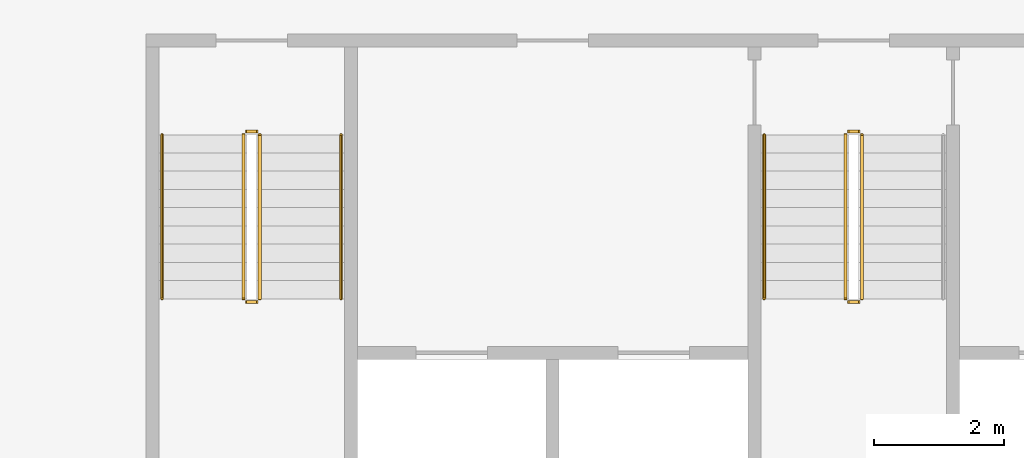
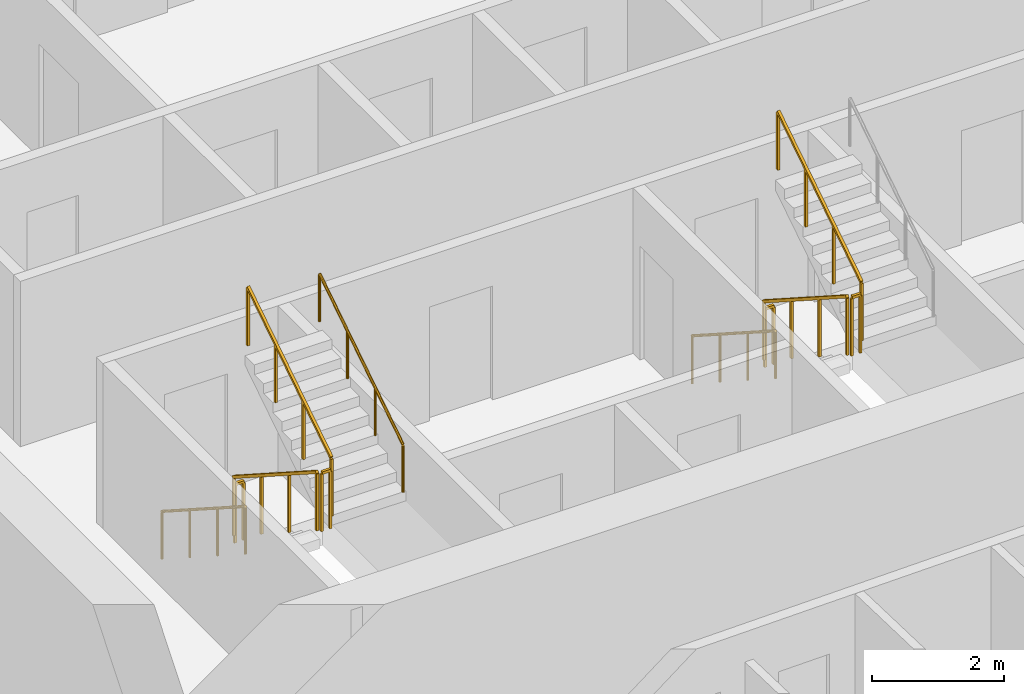
# One storey, part 15 of 17: 11 railings.
"""IFC4 building model written with IfcOpenShell, lengths in metres."""

import ifcopenshell
import ifcopenshell.guid

model = None  # the IFC model being written
_history = None  # IfcOwnerHistory: only IFC2X3 demands one
_inside = {}  # id of a spatial element -> (the spatial element, [elements in it])
_under = {}  # id of a project, library or spatial element -> (it, [spatial elements below it])
_declared = {}  # id of a project -> (the project, [libraries it declares])
_typed = {}  # id of a type object -> (the type object, [elements of that type])
_made_of = {}  # id of a material, layer set ... -> (it, [elements and type objects made of it])


def new_model(schema):
    """Start an empty IFC model of exactly this schema.

    Asked for "IFC4X3", IfcOpenShell would pick the latest addendum, in which some entities
    have other attributes; the version numbers below select the first issue.
    IFC2X3 requires an IfcOwnerHistory on every rooted entity: one is made here for all.
    """
    global model, _history
    if schema == "IFC4X3":
        model = ifcopenshell.file(schema_version=(4, 3, 0, 0))
    else:
        model = ifcopenshell.file(schema=schema)
    _inside.clear()
    _under.clear()
    _declared.clear()
    _typed.clear()
    _made_of.clear()
    _history = None
    if model.schema == "IFC2X3":
        org = make("IfcOrganization", Name="unknown")
        user = make(
            "IfcPersonAndOrganization",
            ThePerson=make("IfcPerson", FamilyName="unknown"),
            TheOrganization=org,
        )
        app = make(
            "IfcApplication",
            ApplicationDeveloper=org,
            Version="unknown",
            ApplicationFullName="unknown",
            ApplicationIdentifier="unknown",
        )
        _history = make(
            "IfcOwnerHistory",
            OwningUser=user,
            OwningApplication=app,
            ChangeAction="ADDED",
            CreationDate=0,
        )
    return model


def make(cls, **values):
    """One entity of the class cls with the attributes given. An attribute that is None is left unset."""
    return model.create_entity(
        cls, **{name: value for name, value in values.items() if value is not None}
    )


def rooted(cls, **values):
    """An entity with a GlobalId (a new one), such as an element, a storey or a relation."""
    return make(cls, GlobalId=ifcopenshell.guid.new(), OwnerHistory=_history, **values)


def si_unit(unit_type, name, prefix=None):
    """IfcSIUnit, for example si_unit("LENGTHUNIT", "METRE", prefix="MILLI")."""
    return make("IfcSIUnit", UnitType=unit_type, Prefix=prefix, Name=name)


def assignment(units):
    """IfcUnitAssignment: the units of a project."""
    return None if units is None else make("IfcUnitAssignment", Units=units)


def point(xyz):
    """IfcCartesianPoint."""
    return None if xyz is None else make("IfcCartesianPoint", Coordinates=xyz)


def direction(xyz):
    """IfcDirection."""
    return None if xyz is None else make("IfcDirection", DirectionRatios=xyz)


def frame(location, z_axis=None, x_axis=None):
    """IfcAxis2Placement3D, a coordinate frame: its origin and axes. An axis left out is left unset."""
    return make(
        "IfcAxis2Placement3D",
        Location=point(location),
        Axis=direction(z_axis),
        RefDirection=direction(x_axis),
    )


def frame_2d(location, x_axis=None):
    """IfcAxis2Placement2D, a coordinate frame in the plane: its origin and x axis."""
    return make(
        "IfcAxis2Placement2D", Location=point(location), RefDirection=direction(x_axis)
    )


def origin():
    """The frame at (0, 0, 0) with its axes left unset."""
    return frame((0.0, 0.0, 0.0))


def origin_2d():
    """The frame at (0, 0) in the plane with its x axis left unset."""
    return frame_2d((0.0, 0.0))


def place(relative_to, where):
    """IfcLocalPlacement: puts the frame where relative to a parent placement (None: the world)."""
    return make(
        "IfcLocalPlacement", PlacementRelTo=relative_to, RelativePlacement=where
    )


def context(
    kind, dimensions, precision=None, world=None, true_north=None, identifier=None
):
    """IfcGeometricRepresentationContext, for example the 3D "Model" context."""
    return make(
        "IfcGeometricRepresentationContext",
        ContextIdentifier=identifier,
        ContextType=kind,
        CoordinateSpaceDimension=dimensions,
        Precision=precision,
        WorldCoordinateSystem=world,
        TrueNorth=true_north,
    )


def subcontext(parent, identifier, kind, view, scale=None):
    """IfcGeometricRepresentationSubContext, for example "Body" below "Model"."""
    return make(
        "IfcGeometricRepresentationSubContext",
        ContextIdentifier=identifier,
        ContextType=kind,
        ParentContext=parent,
        TargetScale=scale,
        TargetView=view,
    )


def project(units=None, contexts=None):
    """IfcProject with its units and contexts."""
    return rooted(
        "IfcProject",
        Name="project",
        RepresentationContexts=contexts,
        UnitsInContext=assignment(units),
    )


def spatial(cls, under=None, at=None, **own):
    """A site, building, storey or space (cls), placed at a placement, below another one or the project."""
    s = rooted(cls, ObjectPlacement=at, **own)
    if under is not None:
        _under.setdefault(under.id(), (under, []))[1].append(s)
    return s


def profile(cls, at=None, kind="AREA", **sizes):
    """A parametric profile (cls). Its sizes go by their IFC names, for example OverallWidth=200.0."""
    return make(cls, ProfileType=kind, Position=at, **sizes)


def rectangle(**sizes):
    """IfcRectangleProfileDef."""
    return profile("IfcRectangleProfileDef", **sizes)


def circle(**sizes):
    """IfcCircleProfileDef."""
    return profile("IfcCircleProfileDef", **sizes)


def extrude(swept, where, along, depth):
    """IfcExtrudedAreaSolid: the profile swept, set in the frame where, extruded along a direction by depth."""
    return make(
        "IfcExtrudedAreaSolid",
        SweptArea=swept,
        Position=where,
        ExtrudedDirection=direction(along),
        Depth=depth,
    )


def shape(context_of_items, identifier, shape_type, items):
    """IfcShapeRepresentation: the items that make up one representation, for example the "Body"."""
    return make(
        "IfcShapeRepresentation",
        ContextOfItems=context_of_items,
        RepresentationIdentifier=identifier,
        RepresentationType=shape_type,
        Items=items,
    )


def material(Name=None, Category=None):
    """IfcMaterial."""
    return make("IfcMaterial", Name=Name, Category=Category)


def made_of(thing, what):
    """Note that an element or type object is made of a material, layer set ...; save() writes the relation."""
    if what is not None:
        _made_of.setdefault(what.id(), (what, []))[1].append(thing)
    return thing


def type_object(cls, material=None, **own):
    """A type object (cls), such as IfcWallType, which elements share."""
    return made_of(rooted(cls, **own), material)


def element(
    cls,
    number,
    at=None,
    inside=None,
    cuts=None,
    type_object=None,
    material=None,
    context=None,
    identifier="Body",
    shape_type=None,
    held_by="IfcProductDefinitionShape",
    body=None,
    shapes=None,
    **own,
):
    """One element of the class cls, such as IfcWall. Its Tag is "e" and its number.

    at: its placement. inside: the storey or other place that contains it. cuts: it is an
    opening in that element (IfcRelVoidsElement). A single representation is given by context,
    identifier, shape_type and body (its items); several are given by shapes. held_by: the class
    of the entity that holds the representations. save() writes the other relations.
    """
    e = rooted(cls, Tag="e%d" % number, ObjectPlacement=at, **own)
    if body is not None:
        shapes = [shape(context, identifier, shape_type, body)]
    if shapes is not None:
        e.Representation = make(held_by, Representations=shapes)
    if inside is not None:
        _inside.setdefault(inside.id(), (inside, []))[1].append(e)
    if cuts is not None:
        rooted(
            "IfcRelVoidsElement", RelatingBuildingElement=cuts, RelatedOpeningElement=e
        )
    if type_object is not None:
        _typed.setdefault(type_object.id(), (type_object, []))[1].append(e)
    return made_of(e, material)


def aggregate(whole, parts):
    """IfcRelAggregates: a whole, such as a stair, and the parts it consists of."""
    return rooted("IfcRelAggregates", RelatingObject=whole, RelatedObjects=parts)


def save(model, path):
    """Write the relations noted so far, then the file.

    IfcRelAggregates (storeys below a building ...), IfcRelContainedInSpatialStructure (elements
    in a storey), IfcRelDefinesByType, IfcRelAssociatesMaterial and IfcRelDeclares: one each for
    every whole, place, type object, material and project.
    """
    for whole, parts in _under.values():
        aggregate(whole, parts)
    for where, things in _inside.values():
        rooted(
            "IfcRelContainedInSpatialStructure",
            RelatedElements=things,
            RelatingStructure=where,
        )
    for kind, things in _typed.values():
        rooted("IfcRelDefinesByType", RelatedObjects=things, RelatingType=kind)
    for what, things in _made_of.values():
        rooted("IfcRelAssociatesMaterial", RelatedObjects=things, RelatingMaterial=what)
    for by, libraries in _declared.values():
        rooted("IfcRelDeclares", RelatingContext=by, RelatedDefinitions=libraries)
    model.write(path)


model = new_model("IFC4")

# Units and contexts
model_context = context("Model", 3, precision=1e-05, world=origin(), true_north=direction((0.0, 1.0)))
body_context = subcontext(model_context, "Body", "Model", "MODEL_VIEW")
ifc_project = project(units=[si_unit("LENGTHUNIT", "METRE"), si_unit("AREAUNIT", "SQUARE_METRE"), si_unit("VOLUMEUNIT", "CUBIC_METRE"), si_unit("PLANEANGLEUNIT", "RADIAN"), si_unit("MASSUNIT", "GRAM", prefix="KILO")], contexts=[model_context])

# Site, building, storey
site_placement = place(None, origin())
site = spatial("IfcSite", under=ifc_project, at=site_placement, CompositionType="ELEMENT")
building_placement = place(site_placement, origin())
building = spatial("IfcBuilding", under=site, at=building_placement, Name="Mangrove Gate Tower", CompositionType="ELEMENT")
storey_placement = place(building_placement, frame((0.0, 0.0, 249.10009765625)))
storey = spatial("IfcBuildingStorey", under=building, at=storey_placement, Name="L63", CompositionType="ELEMENT", Elevation=249.10009765625)

# Railings
ifc_material_1 = material(Name="Stainless steel 316", Category="steel")
railing_type_1 = type_object("IfcRailingType", Name="Core stair guard 1100", PredefinedType="GUARDRAIL", material=ifc_material_1)
railing_1_placement = place(storey_placement, frame((-9.39990234375, -4.64990234375, 0.179931640625)))
element("IfcRailing", 1, at=railing_1_placement, inside=storey, type_object=railing_type_1, Name="L63 ST1 stair guard 1", PredefinedType="GUARDRAIL", context=body_context, shape_type="SweptSolid", body=[
    extrude(rectangle(XDim=0.048095703125, YDim=0.048095703125, at=origin_2d()), frame((0.0, 0.0, 1.076171875), z_axis=(0.0, -0.841199657755, 0.540724639528), x_axis=(1.0, 0.0, 0.0)), (0.0, 0.0, 1.0), 2.995849609375),
    extrude(rectangle(XDim=0.0419921875, YDim=0.0419921875, at=origin_2d()), origin(), (0.0, 0.0, 1.0), 1.052001953125),
    extrude(rectangle(XDim=0.0419921875, YDim=0.0419921875, at=origin_2d()), frame((0.0, -0.840087890625, 0.5400390625)), (0.0, 0.0, 1.0), 1.052001953125),
    extrude(rectangle(XDim=0.0419921875, YDim=0.0419921875, at=origin_2d()), frame((0.0, -1.679931640625, 1.079833984375)), (0.0, 0.0, 1.0), 1.052001953125),
    extrude(rectangle(XDim=0.0419921875, YDim=0.0419921875, at=origin_2d()), frame((0.0, -2.52001953125, 1.619873046875)), (0.0, 0.0, 1.0), 1.052001953125),
])
railing_2_placement = place(storey_placement, frame((-9.35009765625, -7.219970703125, 1.7998046875)))
element("IfcRailing", 2, at=railing_2_placement, inside=storey, type_object=railing_type_1, Name="L63 ST1 stair guard 2", PredefinedType="GUARDRAIL", context=body_context, shape_type="SweptSolid", body=[
    extrude(rectangle(XDim=0.048095703125, YDim=0.048095703125, at=origin_2d()), frame((0.0, 0.0, 1.076171875), z_axis=(1.0, 0.0, 0.0), x_axis=(0.0, 1.0, 0.0)), (0.0, 0.0, 1.0), 0.150146484375),
    extrude(rectangle(XDim=0.0419921875, YDim=0.0419921875, at=origin_2d()), origin(), (0.0, 0.0, 1.0), 1.052001953125),
    extrude(rectangle(XDim=0.0419921875, YDim=0.0419921875, at=origin_2d()), frame((0.150146484375, 0.0, 0.0)), (0.0, 0.0, 1.0), 1.052001953125),
])
railing_3_placement = place(storey_placement, frame((-9.14990234375, -7.169921875, 1.97998046875)))
element("IfcRailing", 3, at=railing_3_placement, inside=storey, type_object=railing_type_1, Name="L63 ST1 stair guard 3", PredefinedType="GUARDRAIL", context=body_context, shape_type="SweptSolid", body=[
    extrude(rectangle(XDim=0.048095703125, YDim=0.048095703125, at=origin_2d()), frame((0.0, 0.0, 1.076171875), z_axis=(0.0, 0.841199657755, 0.540724639528), x_axis=(-1.0, 0.0, 0.0)), (0.0, 0.0, 1.0), 2.995849609375),
    extrude(rectangle(XDim=0.0419921875, YDim=0.0419921875, at=origin_2d()), origin(), (0.0, 0.0, 1.0), 1.052001953125),
    extrude(rectangle(XDim=0.0419921875, YDim=0.0419921875, at=origin_2d()), frame((0.0, 0.840087890625, 0.5400390625)), (0.0, 0.0, 1.0), 1.052001953125),
    extrude(rectangle(XDim=0.0419921875, YDim=0.0419921875, at=origin_2d()), frame((0.0, 1.679931640625, 1.079833984375)), (0.0, 0.0, 1.0), 1.052001953125),
    extrude(rectangle(XDim=0.0419921875, YDim=0.0419921875, at=origin_2d()), frame((0.0, 2.52001953125, 1.619873046875)), (0.0, 0.0, 1.0), 1.052001953125),
])
railing_4_placement = place(storey_placement, frame((-9.35009765625, -4.60009765625, 0.0)))
element("IfcRailing", 4, at=railing_4_placement, inside=storey, type_object=railing_type_1, Name="L63 ST1 stair guard 4", PredefinedType="GUARDRAIL", context=body_context, shape_type="SweptSolid", body=[
    extrude(rectangle(XDim=0.048095703125, YDim=0.048095703125, at=origin_2d()), frame((0.0, 0.0, 1.076171875), z_axis=(1.0, 0.0, 0.0), x_axis=(0.0, 1.0, 0.0)), (0.0, 0.0, 1.0), 0.150146484375),
    extrude(rectangle(XDim=0.0419921875, YDim=0.0419921875, at=origin_2d()), origin(), (0.0, 0.0, 1.0), 1.052001953125),
    extrude(rectangle(XDim=0.0419921875, YDim=0.0419921875, at=origin_2d()), frame((0.150146484375, 0.0, 0.0)), (0.0, 0.0, 1.0), 1.052001953125),
])
railing_5_placement = place(storey_placement, frame((-0.14990234375, -4.64990234375, 0.179931640625)))
element("IfcRailing", 5, at=railing_5_placement, inside=storey, type_object=railing_type_1, Name="L63 ST2 stair guard 1", PredefinedType="GUARDRAIL", context=body_context, shape_type="SweptSolid", body=[
    extrude(rectangle(XDim=0.048095703125, YDim=0.048095703125, at=origin_2d()), frame((0.0, 0.0, 1.076171875), z_axis=(0.0, -0.841199657755, 0.540724639528), x_axis=(1.0, 0.0, 0.0)), (0.0, 0.0, 1.0), 2.995849609375),
    extrude(rectangle(XDim=0.0419921875, YDim=0.0419921875, at=origin_2d()), origin(), (0.0, 0.0, 1.0), 1.052001953125),
    extrude(rectangle(XDim=0.0419921875, YDim=0.0419921875, at=origin_2d()), frame((0.0, -0.840087890625, 0.5400390625)), (0.0, 0.0, 1.0), 1.052001953125),
    extrude(rectangle(XDim=0.0419921875, YDim=0.0419921875, at=origin_2d()), frame((0.0, -1.679931640625, 1.079833984375)), (0.0, 0.0, 1.0), 1.052001953125),
    extrude(rectangle(XDim=0.0419921875, YDim=0.0419921875, at=origin_2d()), frame((0.0, -2.52001953125, 1.619873046875)), (0.0, 0.0, 1.0), 1.052001953125),
])
railing_6_placement = place(storey_placement, frame((-0.10009765625, -7.219970703125, 1.7998046875)))
element("IfcRailing", 6, at=railing_6_placement, inside=storey, type_object=railing_type_1, Name="L63 ST2 stair guard 2", PredefinedType="GUARDRAIL", context=body_context, shape_type="SweptSolid", body=[
    extrude(rectangle(XDim=0.048095703125, YDim=0.048095703125, at=origin_2d()), frame((0.0, 0.0, 1.076171875), z_axis=(1.0, 0.0, 0.0), x_axis=(0.0, 1.0, 0.0)), (0.0, 0.0, 1.0), 0.150146484375),
    extrude(rectangle(XDim=0.0419921875, YDim=0.0419921875, at=origin_2d()), origin(), (0.0, 0.0, 1.0), 1.052001953125),
    extrude(rectangle(XDim=0.0419921875, YDim=0.0419921875, at=origin_2d()), frame((0.150146484375, 0.0, 0.0)), (0.0, 0.0, 1.0), 1.052001953125),
])
railing_7_placement = place(storey_placement, frame((0.10009765625, -7.169921875, 1.97998046875)))
element("IfcRailing", 7, at=railing_7_placement, inside=storey, type_object=railing_type_1, Name="L63 ST2 stair guard 3", PredefinedType="GUARDRAIL", context=body_context, shape_type="SweptSolid", body=[
    extrude(rectangle(XDim=0.048095703125, YDim=0.048095703125, at=origin_2d()), frame((0.0, 0.0, 1.076171875), z_axis=(0.0, 0.841199657755, 0.540724639528), x_axis=(-1.0, 0.0, 0.0)), (0.0, 0.0, 1.0), 2.995849609375),
    extrude(rectangle(XDim=0.0419921875, YDim=0.0419921875, at=origin_2d()), origin(), (0.0, 0.0, 1.0), 1.052001953125),
    extrude(rectangle(XDim=0.0419921875, YDim=0.0419921875, at=origin_2d()), frame((0.0, 0.840087890625, 0.5400390625)), (0.0, 0.0, 1.0), 1.052001953125),
    extrude(rectangle(XDim=0.0419921875, YDim=0.0419921875, at=origin_2d()), frame((0.0, 1.679931640625, 1.079833984375)), (0.0, 0.0, 1.0), 1.052001953125),
    extrude(rectangle(XDim=0.0419921875, YDim=0.0419921875, at=origin_2d()), frame((0.0, 2.52001953125, 1.619873046875)), (0.0, 0.0, 1.0), 1.052001953125),
])
railing_8_placement = place(storey_placement, frame((-0.10009765625, -4.60009765625, 0.0)))
element("IfcRailing", 8, at=railing_8_placement, inside=storey, type_object=railing_type_1, Name="L63 ST2 stair guard 4", PredefinedType="GUARDRAIL", context=body_context, shape_type="SweptSolid", body=[
    extrude(rectangle(XDim=0.048095703125, YDim=0.048095703125, at=origin_2d()), frame((0.0, 0.0, 1.076171875), z_axis=(1.0, 0.0, 0.0), x_axis=(0.0, 1.0, 0.0)), (0.0, 0.0, 1.0), 0.150146484375),
    extrude(rectangle(XDim=0.0419921875, YDim=0.0419921875, at=origin_2d()), origin(), (0.0, 0.0, 1.0), 1.052001953125),
    extrude(rectangle(XDim=0.0419921875, YDim=0.0419921875, at=origin_2d()), frame((0.150146484375, 0.0, 0.0)), (0.0, 0.0, 1.0), 1.052001953125),
])
ifc_material_2 = material(Name="Stainless steel 316", Category="steel")
railing_type_2 = type_object("IfcRailingType", Name="Core stair handrail 900", PredefinedType="HANDRAIL", material=ifc_material_2)
railing_9_placement = place(storey_placement, frame((-10.64990234375, -4.64990234375, 0.179931640625)))
element("IfcRailing", 9, at=railing_9_placement, inside=storey, type_object=railing_type_2, Name="L63 ST1 stair handrail 1", PredefinedType="HANDRAIL", context=body_context, shape_type="SweptSolid", body=[
    extrude(circle(Radius=0.02392578125, at=origin_2d()), frame((0.0, 0.0, 0.8759765625), z_axis=(0.0, -0.841199657755, 0.540724639528), x_axis=(1.0, 0.0, 0.0)), (0.0, 0.0, 1.0), 2.995849609375),
    extrude(circle(Radius=0.02099609375, at=origin_2d()), origin(), (0.0, 0.0, 1.0), 0.851806640625),
    extrude(circle(Radius=0.02099609375, at=origin_2d()), frame((0.0, -0.840087890625, 0.5400390625)), (0.0, 0.0, 1.0), 0.851806640625),
    extrude(circle(Radius=0.02099609375, at=origin_2d()), frame((0.0, -1.679931640625, 1.079833984375)), (0.0, 0.0, 1.0), 0.851806640625),
    extrude(circle(Radius=0.02099609375, at=origin_2d()), frame((0.0, -2.52001953125, 1.619873046875)), (0.0, 0.0, 1.0), 0.851806640625),
])
railing_10_placement = place(storey_placement, frame((-7.89990234375, -7.169921875, 1.97998046875)))
element("IfcRailing", 10, at=railing_10_placement, inside=storey, type_object=railing_type_2, Name="L63 ST1 stair handrail 2", PredefinedType="HANDRAIL", context=body_context, shape_type="SweptSolid", body=[
    extrude(circle(Radius=0.02392578125, at=origin_2d()), frame((0.0, 0.0, 0.8759765625), z_axis=(0.0, 0.841199657755, 0.540724639528), x_axis=(-1.0, 0.0, 0.0)), (0.0, 0.0, 1.0), 2.995849609375),
    extrude(circle(Radius=0.02099609375, at=origin_2d()), origin(), (0.0, 0.0, 1.0), 0.851806640625),
    extrude(circle(Radius=0.02099609375, at=origin_2d()), frame((0.0, 0.840087890625, 0.5400390625)), (0.0, 0.0, 1.0), 0.851806640625),
    extrude(circle(Radius=0.02099609375, at=origin_2d()), frame((0.0, 1.679931640625, 1.079833984375)), (0.0, 0.0, 1.0), 0.851806640625),
    extrude(circle(Radius=0.02099609375, at=origin_2d()), frame((0.0, 2.52001953125, 1.619873046875)), (0.0, 0.0, 1.0), 0.851806640625),
])
railing_11_placement = place(storey_placement, frame((-1.39990234375, -4.64990234375, 0.179931640625)))
element("IfcRailing", 11, at=railing_11_placement, inside=storey, type_object=railing_type_2, Name="L63 ST2 stair handrail 1", PredefinedType="HANDRAIL", context=body_context, shape_type="SweptSolid", body=[
    extrude(circle(Radius=0.02392578125, at=origin_2d()), frame((0.0, 0.0, 0.8759765625), z_axis=(0.0, -0.841199657755, 0.540724639528), x_axis=(1.0, 0.0, 0.0)), (0.0, 0.0, 1.0), 2.995849609375),
    extrude(circle(Radius=0.02099609375, at=origin_2d()), origin(), (0.0, 0.0, 1.0), 0.851806640625),
    extrude(circle(Radius=0.02099609375, at=origin_2d()), frame((0.0, -0.840087890625, 0.5400390625)), (0.0, 0.0, 1.0), 0.851806640625),
    extrude(circle(Radius=0.02099609375, at=origin_2d()), frame((0.0, -1.679931640625, 1.079833984375)), (0.0, 0.0, 1.0), 0.851806640625),
    extrude(circle(Radius=0.02099609375, at=origin_2d()), frame((0.0, -2.52001953125, 1.619873046875)), (0.0, 0.0, 1.0), 0.851806640625),
])

save(model, "model.ifc")
